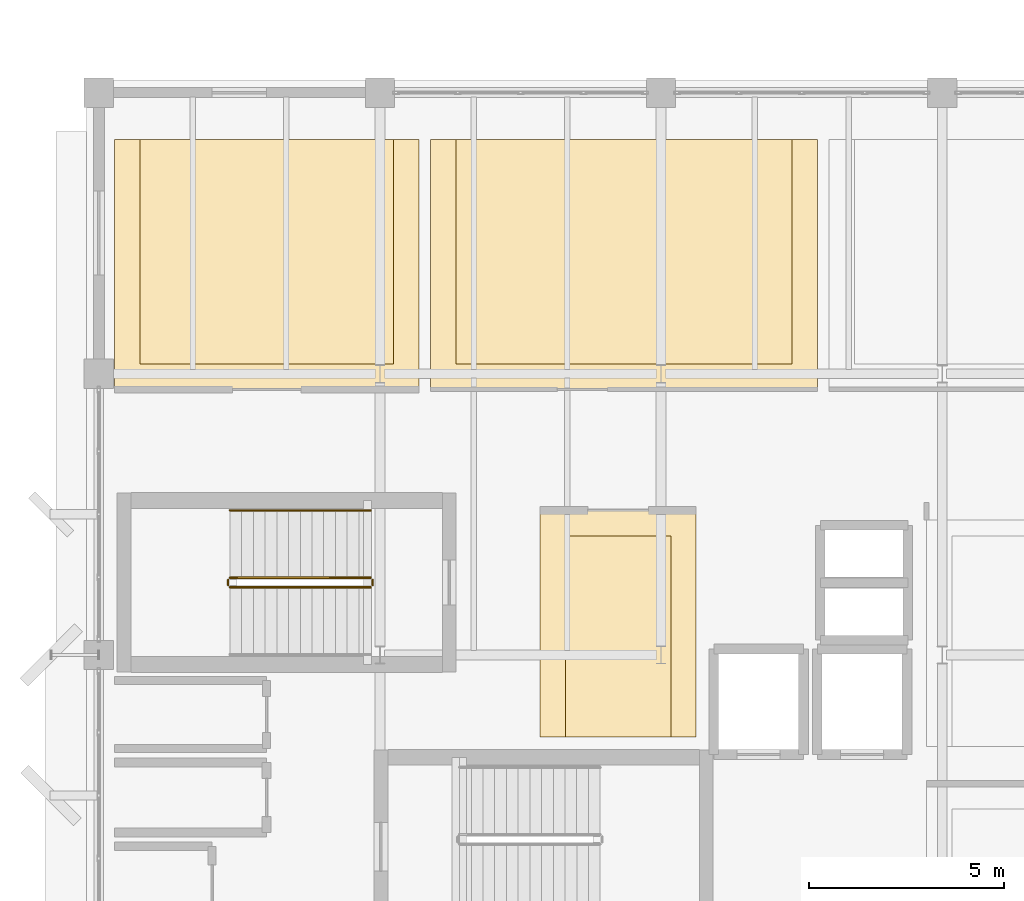
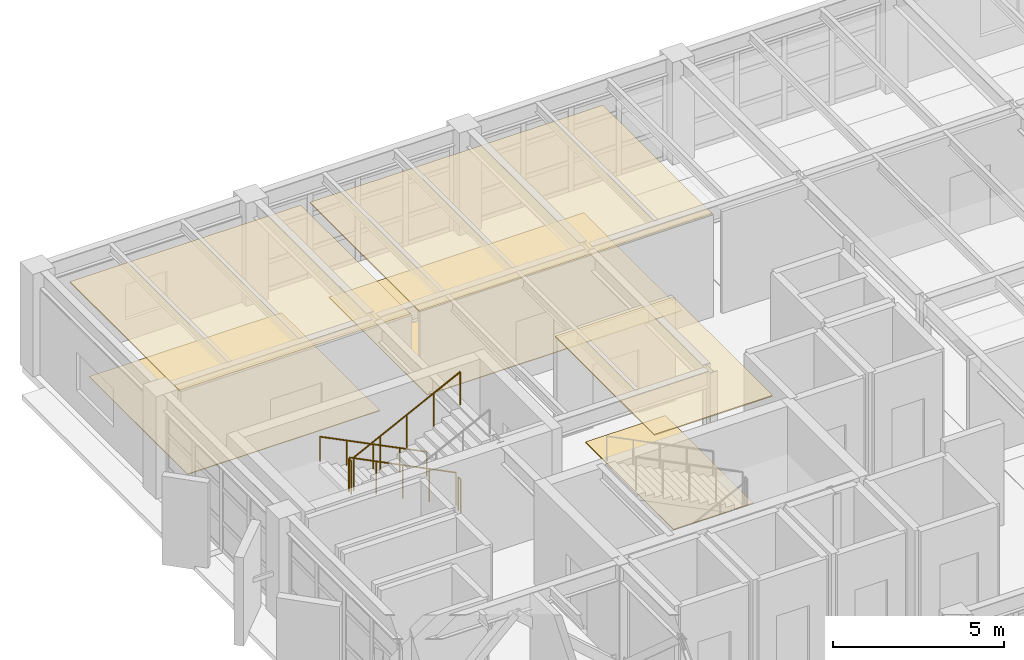
# One storey, part 31 of 32: 6 coverings, 5 railings.
"""IFC4 building model written with IfcOpenShell, lengths in metres."""

from ifc_helpers import new_model, si_unit, direction, frame, origin, origin_2d, place, context, subcontext, project, spatial, polyline, circle, outline, extrude, material, layer, layer_set, type_object, element, save


model = new_model("IFC4")

# Units and contexts
model_context = context("Model", 3, precision=1e-05, world=origin(), true_north=direction((0.0, 1.0)))
body_context = subcontext(model_context, "Body", "Model", "MODEL_VIEW")
ifc_project = project(units=[si_unit("LENGTHUNIT", "METRE"), si_unit("AREAUNIT", "SQUARE_METRE"), si_unit("VOLUMEUNIT", "CUBIC_METRE"), si_unit("PLANEANGLEUNIT", "RADIAN"), si_unit("MASSUNIT", "GRAM", prefix="KILO")], contexts=[model_context])

# Site, building, storey
site_placement = place(None, origin())
site = spatial("IfcSite", under=ifc_project, at=site_placement, CompositionType="ELEMENT")
building_placement = place(site_placement, origin())
building = spatial("IfcBuilding", under=site, at=building_placement, Name="Kandorven Conservatory and Botanical Research Centre", CompositionType="ELEMENT")
storey_placement = place(building_placement, frame((0.0, 0.0, 17.10009765625)))
storey = spatial("IfcBuildingStorey", under=building, at=storey_placement, Name="L04", CompositionType="ELEMENT", Elevation=17.10009765625)

# Coverings
ifc_material_1 = material(Name="Perforated mineral-fibre acoustic ceiling tile", Category="gypsum")
ifc_layer_1 = layer(ifc_material_1, 0.0400390625)
ifc_layer_set_1 = layer_set([ifc_layer_1], Name="Perforated mineral-fibre acoustic ceiling tile")
covering_type_1 = type_object("IfcCoveringType", Name="Cov_Ceiling_1", PredefinedType="CEILING", material=ifc_layer_set_1)
covering_1_placement = place(storey_placement, frame((0.0, 0.0, 3.599853515625)))
element("IfcCovering", 1, at=covering_1_placement, inside=storey, type_object=covering_type_1, Name="Suspended acoustic ceiling CLG-01 (Botanical Specimen Preparation Laboratory L04)", PredefinedType="CEILING", context=body_context, shape_type="SweptSolid", body=[
    extrude(outline(polyline([(17.300048828125, 18.300048828125), (21.300048828125, 18.300048828125), (21.300048828125, 24.10009765625), (17.300048828125, 24.10009765625), (17.300048828125, 18.300048828125)])), origin(), (0.0, 0.0, 1.0), 0.0400390625),
])
covering_2_placement = place(storey_placement, frame((0.0, 0.0, 3.599853515625)))
element("IfcCovering", 2, at=covering_2_placement, inside=storey, type_object=covering_type_1, Name="Suspended acoustic ceiling CLG-01 (Ethnobotany Field Specimen Studio L04)", PredefinedType="CEILING", context=body_context, shape_type="SweptSolid", body=[
    extrude(outline(polyline([(6.39990234375, 27.199951171875), (14.199951171875, 27.199951171875), (14.199951171875, 33.60009765625), (6.39990234375, 33.60009765625), (6.39990234375, 27.199951171875)])), origin(), (0.0, 0.0, 1.0), 0.0400390625),
])
covering_3_placement = place(storey_placement, frame((0.0, 0.0, 3.599853515625)))
element("IfcCovering", 3, at=covering_3_placement, inside=storey, type_object=covering_type_1, Name="Suspended acoustic ceiling CLG-01 (Genomics and Bioinformatics Laboratory L04)", PredefinedType="CEILING", context=body_context, shape_type="SweptSolid", body=[
    extrude(outline(polyline([(14.5, 27.199951171875), (24.39990234375, 27.199951171875), (24.39990234375, 33.60009765625), (14.5, 33.60009765625), (14.5, 27.199951171875)])), origin(), (0.0, 0.0, 1.0), 0.0400390625),
])
ifc_material_2 = material(Name="Honed Kota stone and epoxy laboratory flooring", Category="masonry")
ifc_layer_2 = layer(ifc_material_2, 0.02490234375)
ifc_layer_set_2 = layer_set([ifc_layer_2], Name="Honed Kota stone and epoxy laboratory flooring")
covering_type_2 = type_object("IfcCoveringType", Name="Cov_Flooring_1", PredefinedType="FLOORING", material=ifc_layer_set_2)
covering_4_placement = place(storey_placement, origin())
element("IfcCovering", 4, at=covering_4_placement, inside=storey, type_object=covering_type_2, Name="Floor finish FLR-01 (Botanical Specimen Preparation Laboratory L04)", PredefinedType="FLOORING", context=body_context, shape_type="SweptSolid", body=[
    extrude(outline(polyline([(17.949951171875, 18.300048828125), (20.64990234375, 18.300048828125), (20.64990234375, 23.449951171875), (17.949951171875, 23.449951171875), (17.949951171875, 18.300048828125)])), origin(), (0.0, 0.0, 1.0), 0.02490234375),
])
covering_5_placement = place(storey_placement, origin())
element("IfcCovering", 5, at=covering_5_placement, inside=storey, type_object=covering_type_2, Name="Floor finish FLR-01 (Ethnobotany Field Specimen Studio L04)", PredefinedType="FLOORING", context=body_context, shape_type="SweptSolid", body=[
    extrude(outline(polyline([(7.050048828125, 27.85009765625), (13.550048828125, 27.85009765625), (13.550048828125, 33.60009765625), (7.050048828125, 33.60009765625), (7.050048828125, 27.85009765625)])), origin(), (0.0, 0.0, 1.0), 0.02490234375),
])
covering_6_placement = place(storey_placement, origin())
element("IfcCovering", 6, at=covering_6_placement, inside=storey, type_object=covering_type_2, Name="Floor finish FLR-01 (Genomics and Bioinformatics Laboratory L04)", PredefinedType="FLOORING", context=body_context, shape_type="SweptSolid", body=[
    extrude(outline(polyline([(15.14990234375, 27.85009765625), (23.75, 27.85009765625), (23.75, 33.60009765625), (15.14990234375, 33.60009765625), (15.14990234375, 27.85009765625)])), origin(), (0.0, 0.0, 1.0), 0.02490234375),
])

# Railings
ifc_material_3 = material(Name="Steel S355 (IS 2062 E350)", Category="steel")
railing_type_1 = type_object("IfcRailingType", Name="StairGuard_1150", PredefinedType="BALUSTRADE", material=ifc_material_3)
railing_1_placement = place(storey_placement, frame((12.9599609375, 22.3798828125, 0.14990234375)))
element("IfcRailing", 7, at=railing_1_placement, inside=storey, type_object=railing_type_1, Name="L04 ST-T2 stair guard 1", PredefinedType="BALUSTRADE", context=body_context, shape_type="SweptSolid", body=[
    extrude(circle(Radius=0.02392578125, at=origin_2d()), frame((0.0, 0.0, 1.17578125), z_axis=(-0.894415058897, 0.0, 0.447237858884), x_axis=(0.0, -1.0, 0.0)), (0.0, 0.0, 1.0), 4.02490234375),
    extrude(circle(Radius=0.02099609375, at=origin_2d()), origin(), (0.0, 0.0, 1.0), 1.15185546875),
    extrude(circle(Radius=0.02099609375, at=origin_2d()), frame((-0.89990234375, 0.0, 0.449951171875)), (0.0, 0.0, 1.0), 1.15185546875),
    extrude(circle(Radius=0.02099609375, at=origin_2d()), frame((-1.7998046875, 0.0, 0.89990234375)), (0.0, 0.0, 1.0), 1.15185546875),
    extrude(circle(Radius=0.02099609375, at=origin_2d()), frame((-2.699951171875, 0.0, 1.35009765625)), (0.0, 0.0, 1.0), 1.15185546875),
    extrude(circle(Radius=0.02099609375, at=origin_2d()), frame((-3.599853515625, 0.0, 1.800048828125)), (0.0, 0.0, 1.0), 1.15185546875),
])
railing_2_placement = place(storey_placement, frame((9.31005859375, 22.330078125, 1.949951171875)))
element("IfcRailing", 8, at=railing_2_placement, inside=storey, type_object=railing_type_1, Name="L04 ST-T2 stair guard 2", PredefinedType="BALUSTRADE", context=body_context, shape_type="SweptSolid", body=[
    extrude(circle(Radius=0.02392578125, at=origin_2d()), frame((0.0, 0.0, 1.17578125), z_axis=(0.0, -1.0, 0.0), x_axis=(1.0, 0.0, 0.0)), (0.0, 0.0, 1.0), 0.150146484375),
    extrude(circle(Radius=0.02099609375, at=origin_2d()), origin(), (0.0, 0.0, 1.0), 1.15185546875),
    extrude(circle(Radius=0.02099609375, at=origin_2d()), frame((0.0, -0.150146484375, 0.0)), (0.0, 0.0, 1.0), 1.15185546875),
])
railing_3_placement = place(storey_placement, frame((9.360107421875, 22.1298828125, 2.099853515625)))
element("IfcRailing", 9, at=railing_3_placement, inside=storey, type_object=railing_type_1, Name="L04 ST-T2 stair guard 3", PredefinedType="BALUSTRADE", context=body_context, shape_type="SweptSolid", body=[
    extrude(circle(Radius=0.02392578125, at=origin_2d()), frame((0.0, 0.0, 1.17578125), z_axis=(0.894415058897, 0.0, 0.447237858884), x_axis=(0.0, 1.0, 0.0)), (0.0, 0.0, 1.0), 4.02490234375),
    extrude(circle(Radius=0.02099609375, at=origin_2d()), origin(), (0.0, 0.0, 1.0), 1.15185546875),
    extrude(circle(Radius=0.02099609375, at=origin_2d()), frame((0.89990234375, 0.0, 0.449951171875)), (0.0, 0.0, 1.0), 1.15185546875),
    extrude(circle(Radius=0.02099609375, at=origin_2d()), frame((1.7998046875, 0.0, 0.89990234375)), (0.0, 0.0, 1.0), 1.15185546875),
    extrude(circle(Radius=0.02099609375, at=origin_2d()), frame((2.699951171875, 0.0, 1.35009765625)), (0.0, 0.0, 1.0), 1.15185546875),
    extrude(circle(Radius=0.02099609375, at=origin_2d()), frame((3.599853515625, 0.0, 1.800048828125)), (0.0, 0.0, 1.0), 1.15185546875),
])
railing_4_placement = place(storey_placement, frame((13.010009765625, 22.330078125, 0.0)))
element("IfcRailing", 10, at=railing_4_placement, inside=storey, type_object=railing_type_1, Name="L04 ST-T2 stair guard 4", PredefinedType="BALUSTRADE", context=body_context, shape_type="SweptSolid", body=[
    extrude(circle(Radius=0.02392578125, at=origin_2d()), frame((0.0, 0.0, 1.17578125), z_axis=(0.0, -1.0, 0.0), x_axis=(1.0, 0.0, 0.0)), (0.0, 0.0, 1.0), 0.150146484375),
    extrude(circle(Radius=0.02099609375, at=origin_2d()), origin(), (0.0, 0.0, 1.0), 1.15185546875),
    extrude(circle(Radius=0.02099609375, at=origin_2d()), frame((0.0, -0.150146484375, 0.0)), (0.0, 0.0, 1.0), 1.15185546875),
])
ifc_material_4 = material(Name="Steel S355 (IS 2062 E350)", Category="steel")
railing_type_2 = type_object("IfcRailingType", Name="StairHandrail_900", PredefinedType="HANDRAIL", material=ifc_material_4)
railing_5_placement = place(storey_placement, frame((12.9599609375, 24.10009765625, 0.14990234375)))
element("IfcRailing", 11, at=railing_5_placement, inside=storey, type_object=railing_type_2, Name="L04 ST-T2 stair handrail 1", PredefinedType="HANDRAIL", context=body_context, shape_type="SweptSolid", body=[
    extrude(circle(Radius=0.02392578125, at=origin_2d()), frame((0.0, 0.0, 0.8759765625), z_axis=(-0.894415058897, 0.0, 0.447237858884), x_axis=(0.0, -1.0, 0.0)), (0.0, 0.0, 1.0), 4.02490234375),
    extrude(circle(Radius=0.02099609375, at=origin_2d()), origin(), (0.0, 0.0, 1.0), 0.851806640625),
    extrude(circle(Radius=0.02099609375, at=origin_2d()), frame((-0.89990234375, 0.0, 0.449951171875)), (0.0, 0.0, 1.0), 0.851806640625),
    extrude(circle(Radius=0.02099609375, at=origin_2d()), frame((-1.7998046875, 0.0, 0.89990234375)), (0.0, 0.0, 1.0), 0.851806640625),
    extrude(circle(Radius=0.02099609375, at=origin_2d()), frame((-2.699951171875, 0.0, 1.35009765625)), (0.0, 0.0, 1.0), 0.851806640625),
    extrude(circle(Radius=0.02099609375, at=origin_2d()), frame((-3.599853515625, 0.0, 1.800048828125)), (0.0, 0.0, 1.0), 0.851806640625),
])

save(model, "model.ifc")
